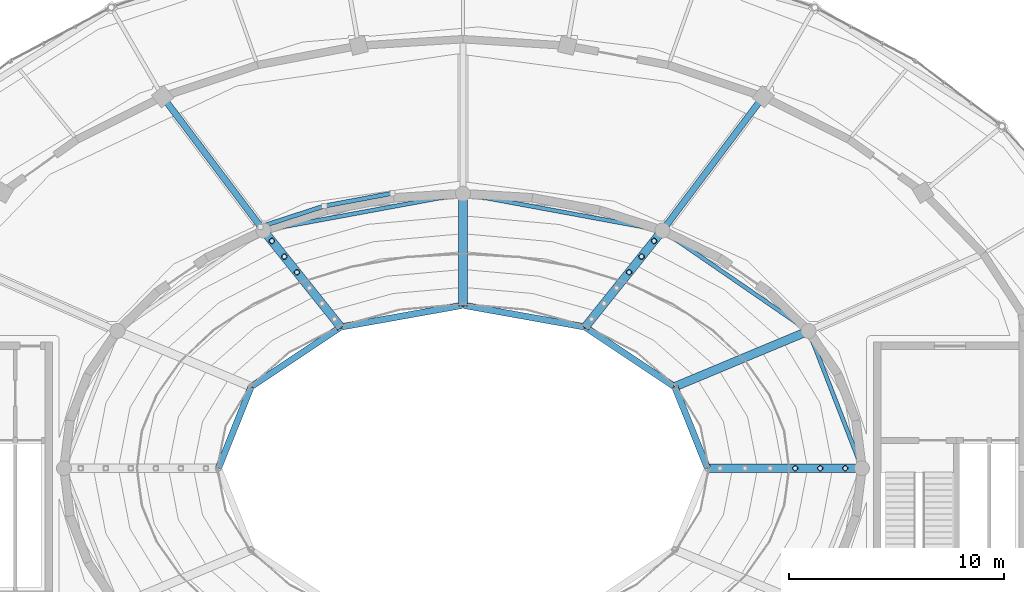
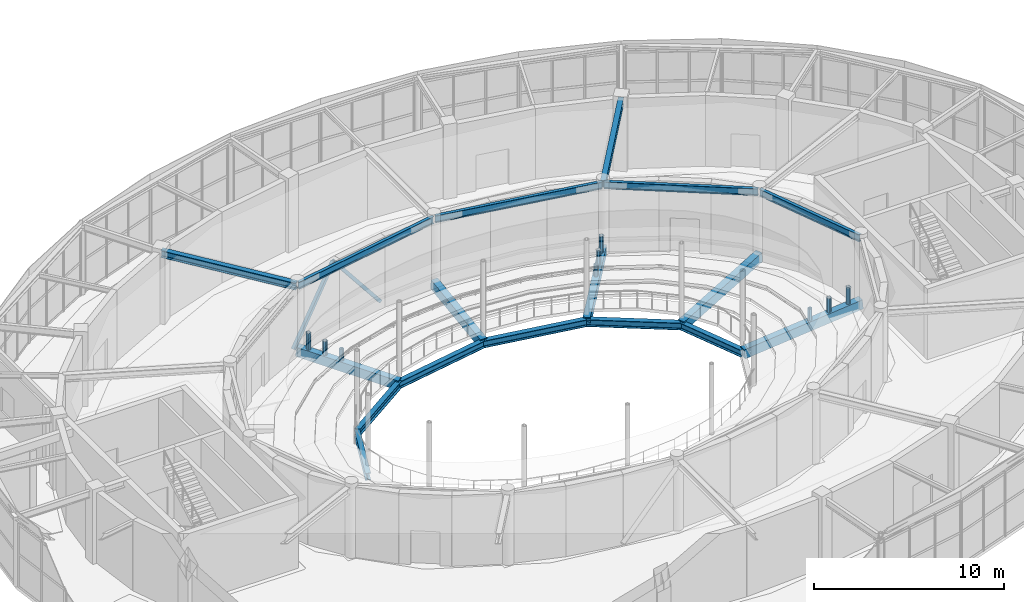
# One storey, part 44 of 108: 17 beams, 11 members.
"""IFC4 building model written with IfcOpenShell, lengths in metres."""

import ifcopenshell
import ifcopenshell.guid

model = None  # the IFC model being written
_history = None  # IfcOwnerHistory: only IFC2X3 demands one
_inside = {}  # id of a spatial element -> (the spatial element, [elements in it])
_under = {}  # id of a project, library or spatial element -> (it, [spatial elements below it])
_declared = {}  # id of a project -> (the project, [libraries it declares])
_typed = {}  # id of a type object -> (the type object, [elements of that type])
_made_of = {}  # id of a material, layer set ... -> (it, [elements and type objects made of it])


def new_model(schema):
    """Start an empty IFC model of exactly this schema.

    Asked for "IFC4X3", IfcOpenShell would pick the latest addendum, in which some entities
    have other attributes; the version numbers below select the first issue.
    IFC2X3 requires an IfcOwnerHistory on every rooted entity: one is made here for all.
    """
    global model, _history
    if schema == "IFC4X3":
        model = ifcopenshell.file(schema_version=(4, 3, 0, 0))
    else:
        model = ifcopenshell.file(schema=schema)
    _inside.clear()
    _under.clear()
    _declared.clear()
    _typed.clear()
    _made_of.clear()
    _history = None
    if model.schema == "IFC2X3":
        org = make("IfcOrganization", Name="unknown")
        user = make(
            "IfcPersonAndOrganization",
            ThePerson=make("IfcPerson", FamilyName="unknown"),
            TheOrganization=org,
        )
        app = make(
            "IfcApplication",
            ApplicationDeveloper=org,
            Version="unknown",
            ApplicationFullName="unknown",
            ApplicationIdentifier="unknown",
        )
        _history = make(
            "IfcOwnerHistory",
            OwningUser=user,
            OwningApplication=app,
            ChangeAction="ADDED",
            CreationDate=0,
        )
    return model


def make(cls, **values):
    """One entity of the class cls with the attributes given. An attribute that is None is left unset."""
    return model.create_entity(
        cls, **{name: value for name, value in values.items() if value is not None}
    )


def rooted(cls, **values):
    """An entity with a GlobalId (a new one), such as an element, a storey or a relation."""
    return make(cls, GlobalId=ifcopenshell.guid.new(), OwnerHistory=_history, **values)


def si_unit(unit_type, name, prefix=None):
    """IfcSIUnit, for example si_unit("LENGTHUNIT", "METRE", prefix="MILLI")."""
    return make("IfcSIUnit", UnitType=unit_type, Prefix=prefix, Name=name)


def assignment(units):
    """IfcUnitAssignment: the units of a project."""
    return None if units is None else make("IfcUnitAssignment", Units=units)


def point(xyz):
    """IfcCartesianPoint."""
    return None if xyz is None else make("IfcCartesianPoint", Coordinates=xyz)


def direction(xyz):
    """IfcDirection."""
    return None if xyz is None else make("IfcDirection", DirectionRatios=xyz)


def frame(location, z_axis=None, x_axis=None):
    """IfcAxis2Placement3D, a coordinate frame: its origin and axes. An axis left out is left unset."""
    return make(
        "IfcAxis2Placement3D",
        Location=point(location),
        Axis=direction(z_axis),
        RefDirection=direction(x_axis),
    )


def frame_2d(location, x_axis=None):
    """IfcAxis2Placement2D, a coordinate frame in the plane: its origin and x axis."""
    return make(
        "IfcAxis2Placement2D", Location=point(location), RefDirection=direction(x_axis)
    )


def origin():
    """The frame at (0, 0, 0) with its axes left unset."""
    return frame((0.0, 0.0, 0.0))


def origin_2d():
    """The frame at (0, 0) in the plane with its x axis left unset."""
    return frame_2d((0.0, 0.0))


def place(relative_to, where):
    """IfcLocalPlacement: puts the frame where relative to a parent placement (None: the world)."""
    return make(
        "IfcLocalPlacement", PlacementRelTo=relative_to, RelativePlacement=where
    )


def context(
    kind, dimensions, precision=None, world=None, true_north=None, identifier=None
):
    """IfcGeometricRepresentationContext, for example the 3D "Model" context."""
    return make(
        "IfcGeometricRepresentationContext",
        ContextIdentifier=identifier,
        ContextType=kind,
        CoordinateSpaceDimension=dimensions,
        Precision=precision,
        WorldCoordinateSystem=world,
        TrueNorth=true_north,
    )


def subcontext(parent, identifier, kind, view, scale=None):
    """IfcGeometricRepresentationSubContext, for example "Body" below "Model"."""
    return make(
        "IfcGeometricRepresentationSubContext",
        ContextIdentifier=identifier,
        ContextType=kind,
        ParentContext=parent,
        TargetScale=scale,
        TargetView=view,
    )


def project(units=None, contexts=None):
    """IfcProject with its units and contexts."""
    return rooted(
        "IfcProject",
        Name="project",
        RepresentationContexts=contexts,
        UnitsInContext=assignment(units),
    )


def spatial(cls, under=None, at=None, **own):
    """A site, building, storey or space (cls), placed at a placement, below another one or the project."""
    s = rooted(cls, ObjectPlacement=at, **own)
    if under is not None:
        _under.setdefault(under.id(), (under, []))[1].append(s)
    return s


def profile(cls, at=None, kind="AREA", **sizes):
    """A parametric profile (cls). Its sizes go by their IFC names, for example OverallWidth=200.0."""
    return make(cls, ProfileType=kind, Position=at, **sizes)


def rectangle(**sizes):
    """IfcRectangleProfileDef."""
    return profile("IfcRectangleProfileDef", **sizes)


def hollow_rectangle(**sizes):
    """IfcRectangleHollowProfileDef."""
    return profile("IfcRectangleHollowProfileDef", **sizes)


def hollow_circle(**sizes):
    """IfcCircleHollowProfileDef."""
    return profile("IfcCircleHollowProfileDef", **sizes)


def i_section(**sizes):
    """IfcIShapeProfileDef."""
    return profile("IfcIShapeProfileDef", **sizes)


def extrude(swept, where, along, depth):
    """IfcExtrudedAreaSolid: the profile swept, set in the frame where, extruded along a direction by depth."""
    return make(
        "IfcExtrudedAreaSolid",
        SweptArea=swept,
        Position=where,
        ExtrudedDirection=direction(along),
        Depth=depth,
    )


def shape(context_of_items, identifier, shape_type, items):
    """IfcShapeRepresentation: the items that make up one representation, for example the "Body"."""
    return make(
        "IfcShapeRepresentation",
        ContextOfItems=context_of_items,
        RepresentationIdentifier=identifier,
        RepresentationType=shape_type,
        Items=items,
    )


def material(Name=None, Category=None):
    """IfcMaterial."""
    return make("IfcMaterial", Name=Name, Category=Category)


def material_profile(
    of_material, cross_section, Name=None, Category=None, Priority=None
):
    """IfcMaterialProfile: a cross section and its material."""
    return make(
        "IfcMaterialProfile",
        Name=Name,
        Material=of_material,
        Profile=cross_section,
        Priority=Priority,
        Category=Category,
    )


def profile_set(profiles, Name=None, composite=None):
    """IfcMaterialProfileSet."""
    return make(
        "IfcMaterialProfileSet",
        Name=Name,
        MaterialProfiles=profiles,
        CompositeProfile=composite,
    )


def made_of(thing, what):
    """Note that an element or type object is made of a material, layer set ...; save() writes the relation."""
    if what is not None:
        _made_of.setdefault(what.id(), (what, []))[1].append(thing)
    return thing


def type_object(cls, material=None, **own):
    """A type object (cls), such as IfcWallType, which elements share."""
    return made_of(rooted(cls, **own), material)


def element(
    cls,
    number,
    at=None,
    inside=None,
    cuts=None,
    type_object=None,
    material=None,
    context=None,
    identifier="Body",
    shape_type=None,
    held_by="IfcProductDefinitionShape",
    body=None,
    shapes=None,
    **own,
):
    """One element of the class cls, such as IfcWall. Its Tag is "e" and its number.

    at: its placement. inside: the storey or other place that contains it. cuts: it is an
    opening in that element (IfcRelVoidsElement). A single representation is given by context,
    identifier, shape_type and body (its items); several are given by shapes. held_by: the class
    of the entity that holds the representations. save() writes the other relations.
    """
    e = rooted(cls, Tag="e%d" % number, ObjectPlacement=at, **own)
    if body is not None:
        shapes = [shape(context, identifier, shape_type, body)]
    if shapes is not None:
        e.Representation = make(held_by, Representations=shapes)
    if inside is not None:
        _inside.setdefault(inside.id(), (inside, []))[1].append(e)
    if cuts is not None:
        rooted(
            "IfcRelVoidsElement", RelatingBuildingElement=cuts, RelatedOpeningElement=e
        )
    if type_object is not None:
        _typed.setdefault(type_object.id(), (type_object, []))[1].append(e)
    return made_of(e, material)


def aggregate(whole, parts):
    """IfcRelAggregates: a whole, such as a stair, and the parts it consists of."""
    return rooted("IfcRelAggregates", RelatingObject=whole, RelatedObjects=parts)


def save(model, path):
    """Write the relations noted so far, then the file.

    IfcRelAggregates (storeys below a building ...), IfcRelContainedInSpatialStructure (elements
    in a storey), IfcRelDefinesByType, IfcRelAssociatesMaterial and IfcRelDeclares: one each for
    every whole, place, type object, material and project.
    """
    for whole, parts in _under.values():
        aggregate(whole, parts)
    for where, things in _inside.values():
        rooted(
            "IfcRelContainedInSpatialStructure",
            RelatedElements=things,
            RelatingStructure=where,
        )
    for kind, things in _typed.values():
        rooted("IfcRelDefinesByType", RelatedObjects=things, RelatingType=kind)
    for what, things in _made_of.values():
        rooted("IfcRelAssociatesMaterial", RelatedObjects=things, RelatingMaterial=what)
    for by, libraries in _declared.values():
        rooted("IfcRelDeclares", RelatingContext=by, RelatedDefinitions=libraries)
    model.write(path)


model = new_model("IFC4")

# Units and contexts
model_context = context("Model", 3, precision=1e-05, world=origin(), true_north=direction((0.0, 1.0)))
body_context = subcontext(model_context, "Body", "Model", "MODEL_VIEW")
ifc_project = project(units=[si_unit("LENGTHUNIT", "METRE"), si_unit("AREAUNIT", "SQUARE_METRE"), si_unit("VOLUMEUNIT", "CUBIC_METRE"), si_unit("PLANEANGLEUNIT", "RADIAN"), si_unit("MASSUNIT", "GRAM", prefix="KILO")], contexts=[model_context])

# Site, building, storey
site_placement = place(None, origin())
site = spatial("IfcSite", under=ifc_project, at=site_placement, CompositionType="ELEMENT")
building_placement = place(site_placement, origin())
building = spatial("IfcBuilding", under=site, at=building_placement, Name="Tarnveldt Headland Concert Hall", CompositionType="ELEMENT")
storey_placement = place(building_placement, frame((0.0, 0.0, 9.60009765625)))
storey = spatial("IfcBuildingStorey", under=building, at=storey_placement, Name="L02", CompositionType="ELEMENT", Elevation=9.60009765625)

# Members
ifc_material_1 = material(Name="Steel S355", Category="steel")
ifc_material_profile_1 = material_profile(ifc_material_1, hollow_rectangle(XDim=0.199951171875, YDim=0.199951171875, WallThickness=0.012451171875, at=origin_2d()), Name="SHS 200x200x12.5", Category="steel")
ifc_profile_set_1 = profile_set([ifc_material_profile_1], Name="Steel S355")
member_type_1 = type_object("IfcMemberType", Name="BR-SHS200", PredefinedType="BRACE", material=ifc_profile_set_1)
member_1_placement = place(storey_placement, frame((80.215576171875, 67.318603515625, 0.179931640625), z_axis=(-0.613485965914, -0.114963860187, 0.781292698338), x_axis=(0.184188305631, -0.98289097466, 0.0)))
element("IfcMember", 1, at=member_1_placement, inside=storey, type_object=member_type_1, Name="Acoustic drum chevron brace L02-11A", PredefinedType="BRACE", context=body_context, shape_type="SweptSolid", body=[
    extrude(hollow_rectangle(XDim=0.199951171875, YDim=0.199951171875, WallThickness=0.012451171875, at=origin_2d()), origin(), (0.0, 0.0, 1.0), 5.183837890625),
])
member_2_placement = place(storey_placement, frame((74.05859375, 65.753662109375, 0.179931640625), z_axis=(0.581531534412, 0.18929702781, 0.791193850928), x_axis=(-0.309528653366, 0.950890116021, 0.0)))
element("IfcMember", 2, at=member_2_placement, inside=storey, type_object=member_type_1, Name="Acoustic drum chevron brace L02-11B", PredefinedType="BRACE", context=body_context, shape_type="SweptSolid", body=[
    extrude(hollow_rectangle(XDim=0.199951171875, YDim=0.199951171875, WallThickness=0.012451171875, at=origin_2d()), origin(), (0.0, 0.0, 1.0), 5.118896484375),
])

# Beams
ifc_material_2 = material(Name="Concrete C40/50", Category="concrete")
ifc_material_profile_2 = material_profile(ifc_material_2, rectangle(XDim=0.39990234375, YDim=0.60009765625, at=origin_2d()), Name="RAKER RC 400x600", Category="concrete")
ifc_profile_set_2 = profile_set([ifc_material_profile_2], Name="Concrete C40/50")
beam_type_1 = type_object("IfcBeamType", Name="RK-400x600", PredefinedType="BEAM", material=ifc_profile_set_2)
beam_1_placement = place(storey_placement, frame((102.10009765625, 54.5, 0.18994140625), z_axis=(-0.995239570386, 0.0, -0.097458696571), x_axis=(0.0, -1.0, 0.0)))
element("IfcBeam", 3, at=beam_1_placement, inside=storey, type_object=beam_type_1, Name="Stand RAKER beam L02-1", PredefinedType="BEAM", context=body_context, shape_type="SweptSolid", body=[
    extrude(rectangle(XDim=0.39990234375, YDim=0.60009765625, at=origin_2d()), origin(), (0.0, 0.0, 1.0), 7.234619140625),
])
beam_2_placement = place(storey_placement, frame((99.608154296875, 60.89990234375, 0.18994140625), z_axis=(-0.917996568465, -0.382762155739, -0.103804780334), x_axis=(0.384841186622, -0.922982806492, 0.0)))
element("IfcBeam", 4, at=beam_2_placement, inside=storey, type_object=beam_type_1, Name="Stand RAKER beam L02-2", PredefinedType="BEAM", context=body_context, shape_type="SweptSolid", body=[
    extrude(rectangle(XDim=0.39990234375, YDim=0.60009765625, at=origin_2d()), origin(), (0.0, 0.0, 1.0), 6.792236328125),
])
beam_3_placement = place(storey_placement, frame((92.800048828125, 65.585205078125, 0.18994140625), z_axis=(-0.619798723742, -0.775315831965, -0.121387407715), x_axis=(0.781091844356, -0.624416151842, 0.0)))
element("IfcBeam", 5, at=beam_3_placement, inside=storey, type_object=beam_type_1, Name="Stand RAKER beam L02-3", PredefinedType="BEAM", context=body_context, shape_type="SweptSolid", body=[
    extrude(rectangle(XDim=0.39990234375, YDim=0.60009765625, at=origin_2d()), origin(), (0.0, 0.0, 1.0), 5.80859375),
])
beam_4_placement = place(storey_placement, frame((83.5, 67.300048828125, 0.18994140625), z_axis=(0.0, -0.99093208818, -0.134363672974), x_axis=(1.0, 0.0, 0.0)))
element("IfcBeam", 6, at=beam_4_placement, inside=storey, type_object=beam_type_1, Name="Stand RAKER beam L02-4", PredefinedType="BEAM", context=body_context, shape_type="SweptSolid", body=[
    extrude(rectangle(XDim=0.39990234375, YDim=0.60009765625, at=origin_2d()), origin(), (0.0, 0.0, 1.0), 5.24755859375),
])
beam_5_placement = place(storey_placement, frame((74.199951171875, 65.585205078125, 0.18994140625), z_axis=(0.619798723742, -0.775315831965, -0.121387407715), x_axis=(0.781091844356, 0.624416151842, 0.0)))
element("IfcBeam", 7, at=beam_5_placement, inside=storey, type_object=beam_type_1, Name="Stand RAKER beam L02-5", PredefinedType="BEAM", context=body_context, shape_type="SweptSolid", body=[
    extrude(rectangle(XDim=0.39990234375, YDim=0.60009765625, at=origin_2d()), origin(), (0.0, 0.0, 1.0), 5.80859375),
])
ifc_material_profile_3 = material_profile(ifc_material_1, i_section(OverallWidth=0.300048828125, OverallDepth=0.449951171875, WebThickness=0.013916015625, FlangeThickness=0.02587890625, FilletRadius=0.027099609375, at=origin_2d()), Name="HEB450", Category="steel")
ifc_profile_set_3 = profile_set([ifc_material_profile_3], Name="Steel S355")
beam_type_2 = type_object("IfcBeamType", Name="SB-HEB450", PredefinedType="BEAM", material=ifc_profile_set_3)
beam_6_placement = place(storey_placement, frame((94.89990234375, 54.5, -0.51513671875), z_axis=(-0.372880527765, 0.927879362856, 0.0), x_axis=(-0.927879362856, -0.372880527765, 0.0)))
element("IfcBeam", 8, at=beam_6_placement, inside=storey, type_object=beam_type_2, Name="RAKER header beam L02-1", PredefinedType="BEAM", context=body_context, shape_type="SweptSolid", body=[
    extrude(i_section(OverallWidth=0.300048828125, OverallDepth=0.449951171875, WebThickness=0.013916015625, FlangeThickness=0.02587890625, FilletRadius=0.027099609375, at=origin_2d()), origin(), (0.0, 0.0, 1.0), 4.095458984375),
])
beam_7_placement = place(storey_placement, frame((93.372802734375, 58.300048828125, -0.51513671875), z_axis=(-0.832065272977, 0.554677727609, 0.0), x_axis=(-0.554677727609, -0.832065272977, 0.0)))
element("IfcBeam", 9, at=beam_7_placement, inside=storey, type_object=beam_type_2, Name="RAKER header beam L02-2", PredefinedType="BEAM", context=body_context, shape_type="SweptSolid", body=[
    extrude(i_section(OverallWidth=0.300048828125, OverallDepth=0.449951171875, WebThickness=0.013916015625, FlangeThickness=0.02587890625, FilletRadius=0.027099609375, at=origin_2d()), origin(), (0.0, 0.0, 1.0), 5.01513671875),
])
for number, where, z_axis, x_axis, name in (
    (10, (89.199951171875, 61.081787109375, -0.51513671875), (-0.984413760872, 0.175867982893, 0.0), (-0.175867982893, -0.984413760872, 0.0), "RAKER header beam L02-3"),
    (11, (83.5, 62.10009765625, -0.51513671875), (-0.984413760872, -0.175867982893, 0.0), (0.175867982893, -0.984413760872, 0.0), "RAKER header beam L02-4"),
):
    element("IfcBeam", number, at=place(storey_placement, frame(where, z_axis=z_axis, x_axis=x_axis)), inside=storey, type_object=beam_type_2, Name=name, PredefinedType="BEAM", context=body_context, shape_type="SweptSolid", body=[
        extrude(i_section(OverallWidth=0.300048828125, OverallDepth=0.449951171875, WebThickness=0.013916015625, FlangeThickness=0.02587890625, FilletRadius=0.027099609375, at=origin_2d()), origin(), (0.0, 0.0, 1.0), 5.790283203125),
    ])
beam_8_placement = place(storey_placement, frame((77.800048828125, 61.081787109375, -0.51513671875), z_axis=(-0.832065272977, -0.554677727609, 0.0), x_axis=(0.554677727609, -0.832065272977, 0.0)))
element("IfcBeam", 12, at=beam_8_placement, inside=storey, type_object=beam_type_2, Name="RAKER header beam L02-5", PredefinedType="BEAM", context=body_context, shape_type="SweptSolid", body=[
    extrude(i_section(OverallWidth=0.300048828125, OverallDepth=0.449951171875, WebThickness=0.013916015625, FlangeThickness=0.02587890625, FilletRadius=0.027099609375, at=origin_2d()), origin(), (0.0, 0.0, 1.0), 5.01513671875),
])
beam_9_placement = place(storey_placement, frame((73.627197265625, 58.300048828125, -0.51513671875), z_axis=(-0.372880527765, -0.927879362856, 0.0), x_axis=(0.927879362856, -0.372880527765, 0.0)))
element("IfcBeam", 13, at=beam_9_placement, inside=storey, type_object=beam_type_2, Name="RAKER header beam L02-6", PredefinedType="BEAM", context=body_context, shape_type="SweptSolid", body=[
    extrude(i_section(OverallWidth=0.300048828125, OverallDepth=0.449951171875, WebThickness=0.013916015625, FlangeThickness=0.02587890625, FilletRadius=0.027099609375, at=origin_2d()), origin(), (0.0, 0.0, 1.0), 4.095458984375),
])
for number, where, z_axis, x_axis, name in (
    (14, (92.82421875, 65.616943359375, 4.324951171875), (0.601893745781, 0.798576182208, 0.0), (-0.798576182208, 0.601893745781, 0.0), "Framing beam L02-1053"),
    (15, (74.17578125, 65.616943359375, 4.324951171875), (-0.601893745781, 0.798576182208, 0.0), (-0.798576182208, -0.601893745781, 0.0), "Framing beam L02-1057"),
):
    element("IfcBeam", number, at=place(storey_placement, frame(where, z_axis=z_axis, x_axis=x_axis)), inside=storey, type_object=beam_type_2, Name=name, PredefinedType="BEAM", context=body_context, shape_type="SweptSolid", body=[
        extrude(i_section(OverallWidth=0.300048828125, OverallDepth=0.449951171875, WebThickness=0.013916015625, FlangeThickness=0.02587890625, FilletRadius=0.027099609375, at=origin_2d()), origin(), (0.0, 0.0, 1.0), 7.728271484375),
    ])
ifc_material_profile_4 = material_profile(ifc_material_1, i_section(OverallWidth=0.18994140625, OverallDepth=0.449951171875, WebThickness=0.009521484375, FlangeThickness=0.0146484375, FilletRadius=0.02099609375, at=origin_2d()), Name="IPE450", Category="steel")
ifc_profile_set_4 = profile_set([ifc_material_profile_4], Name="Steel S355")
beam_type_3 = type_object("IfcBeamType", Name="SB-IPE450", PredefinedType="BEAM", material=ifc_profile_set_4)
beam_10_placement = place(storey_placement, frame((102.078125, 54.555908203125, 4.324951171875), z_axis=(-0.362816377746, 0.931860652694, 0.0), x_axis=(-0.931860652694, -0.362816377746, 0.0)))
element("IfcBeam", 16, at=beam_10_placement, inside=storey, type_object=beam_type_3, Name="Framing beam L02-1050", PredefinedType="BEAM", context=body_context, shape_type="SweptSolid", body=[
    extrude(i_section(OverallWidth=0.18994140625, OverallDepth=0.449951171875, WebThickness=0.009521484375, FlangeThickness=0.0146484375, FilletRadius=0.02099609375, at=origin_2d()), origin(), (0.0, 0.0, 1.0), 6.747802734375),
])
beam_11_placement = place(storey_placement, frame((99.55859375, 60.93408203125, 4.324951171875), z_axis=(-0.823792567818, 0.566891352207, 0.0), x_axis=(-0.566891352207, -0.823792567818, 0.0)))
element("IfcBeam", 17, at=beam_11_placement, inside=storey, type_object=beam_type_3, Name="Framing beam L02-1052", PredefinedType="BEAM", context=body_context, shape_type="SweptSolid", body=[
    extrude(i_section(OverallWidth=0.18994140625, OverallDepth=0.449951171875, WebThickness=0.009521484375, FlangeThickness=0.0146484375, FilletRadius=0.02099609375, at=origin_2d()), origin(), (0.0, 0.0, 1.0), 8.144287109375),
])
for number, where, z_axis, x_axis, name in (
    (18, (92.740966796875, 65.595947265625, 4.324951171875), (-0.983420438696, 0.181340124501, 0.0), (-0.181340124501, -0.983420438696, 0.0), "Framing beam L02-1054"),
    (19, (83.44091796875, 67.2890625, 4.324951171875), (-0.983420438696, -0.181340124501, 0.0), (0.181340124501, -0.983420438696, 0.0), "Framing beam L02-1056"),
):
    element("IfcBeam", number, at=place(storey_placement, frame(where, z_axis=z_axis, x_axis=x_axis)), inside=storey, type_object=beam_type_3, Name=name, PredefinedType="BEAM", context=body_context, shape_type="SweptSolid", body=[
        extrude(i_section(OverallWidth=0.18994140625, OverallDepth=0.449951171875, WebThickness=0.009521484375, FlangeThickness=0.0146484375, FilletRadius=0.02099609375, at=origin_2d()), origin(), (0.0, 0.0, 1.0), 9.336669921875),
    ])

# Members
ifc_material_profile_5 = material_profile(ifc_material_1, hollow_circle(Radius=0.122314453125, WallThickness=0.01611328125, at=origin_2d()), Name="CHS 244.5x16", Category="steel")
ifc_profile_set_5 = profile_set([ifc_material_profile_5], Name="Steel S355")
member_type_2 = type_object("IfcMemberType", Name="TR-CHORD244", PredefinedType="POST", material=ifc_profile_set_5)
for number, where, z_axis, x_axis, name in (
    (20, (98.9833984375, 54.5, -0.115234375), (0.0, 0.0, 1.0), (1.0, 0.0, 0.0), "Vineyard tier raker stool post L02-4-1"),
    (21, (91.24169921875, 63.6357421875, -0.115234375), (0.0, 0.0, 1.0), (1.0, 0.0, 0.0), "Vineyard tier raker stool post L02-4-3"),
    (22, (75.75830078125, 63.6357421875, -0.115234375), (0.0, 0.0, 1.0), (1.0, 0.0, 0.0), "Vineyard tier raker stool post L02-4-5"),
):
    element("IfcMember", number, at=place(storey_placement, frame(where, z_axis=z_axis, x_axis=x_axis)), inside=storey, type_object=member_type_2, Name=name, PredefinedType="POST", context=body_context, shape_type="SweptSolid", body=[
        extrude(hollow_circle(Radius=0.122314453125, WallThickness=0.01611328125, at=origin_2d()), origin(), (0.0, 0.0, 1.0), 1.045166015625),
    ])
for number, where, z_axis, x_axis, name in (
    (23, (100.14990234375, 54.5, -0.0009765625), (0.0, 0.0, 1.0), (1.0, 0.0, 0.0), "Vineyard tier raker stool post L02-5-1"),
    (24, (91.824951171875, 64.365478515625, -0.0009765625), (0.0, 0.0, 1.0), (1.0, 0.0, 0.0), "Vineyard tier raker stool post L02-5-3"),
    (25, (75.175048828125, 64.365478515625, -0.0009765625), (0.0, 0.0, 1.0), (1.0, 0.0, 0.0), "Vineyard tier raker stool post L02-5-5"),
):
    element("IfcMember", number, at=place(storey_placement, frame(where, z_axis=z_axis, x_axis=x_axis)), inside=storey, type_object=member_type_2, Name=name, PredefinedType="POST", context=body_context, shape_type="SweptSolid", body=[
        extrude(hollow_circle(Radius=0.122314453125, WallThickness=0.01611328125, at=origin_2d()), origin(), (0.0, 0.0, 1.0), 1.2109375),
    ])
for number, where, z_axis, x_axis, name in (
    (26, (101.316650390625, 54.5, 0.11328125), (0.0, 0.0, 1.0), (1.0, 0.0, 0.0), "Vineyard tier raker stool post L02-6-1"),
    (27, (92.408203125, 65.09521484375, 0.11328125), (0.0, 0.0, 1.0), (1.0, 0.0, 0.0), "Vineyard tier raker stool post L02-6-3"),
    (28, (74.591796875, 65.09521484375, 0.11328125), (0.0, 0.0, 1.0), (1.0, 0.0, 0.0), "Vineyard tier raker stool post L02-6-5"),
):
    element("IfcMember", number, at=place(storey_placement, frame(where, z_axis=z_axis, x_axis=x_axis)), inside=storey, type_object=member_type_2, Name=name, PredefinedType="POST", context=body_context, shape_type="SweptSolid", body=[
        extrude(hollow_circle(Radius=0.122314453125, WallThickness=0.01611328125, at=origin_2d()), origin(), (0.0, 0.0, 1.0), 1.376708984375),
    ])

save(model, "model.ifc")
